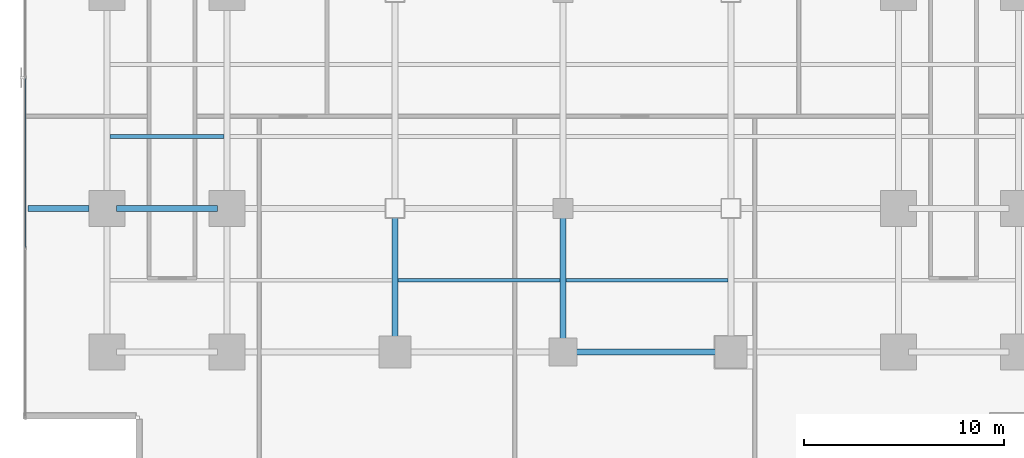
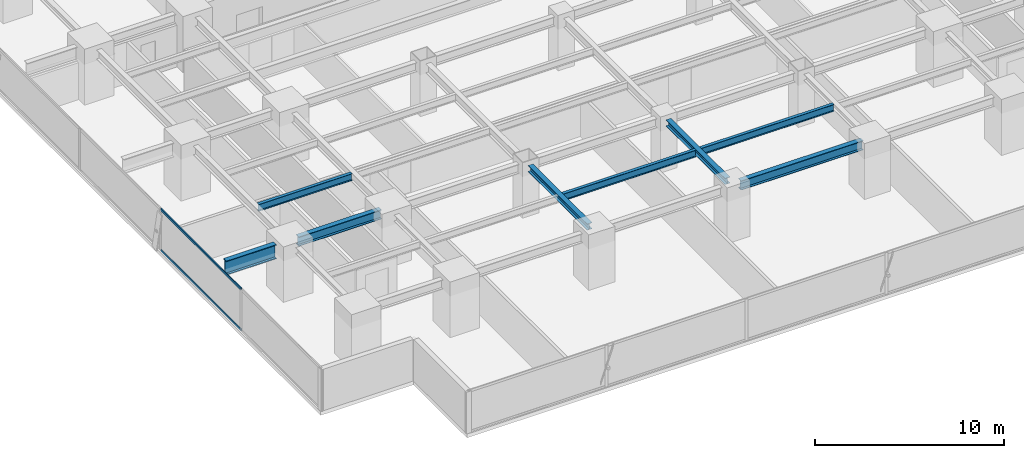
# One storey, part 6 of 33: 8 beams, 2 members, 1 element without a shape of its own.
"""IFC4 building model written with IfcOpenShell, lengths in metres."""

from ifc_helpers import new_model, si_unit, direction, frame, origin, origin_2d, place, context, subcontext, project, spatial, hollow_rectangle, i_section, extrude, source, transform, mapped, material, layer, layer_set, material_profile, profile_set, type_object, element, aggregate, save


model = new_model("IFC4")

# Units and contexts
model_context = context("Model", 3, precision=1e-05, world=origin(), true_north=direction((0.0, 1.0)))
body_context = subcontext(model_context, "Body", "Model", "MODEL_VIEW")
ifc_project = project(units=[si_unit("LENGTHUNIT", "METRE"), si_unit("AREAUNIT", "SQUARE_METRE"), si_unit("VOLUMEUNIT", "CUBIC_METRE"), si_unit("PLANEANGLEUNIT", "RADIAN"), si_unit("MASSUNIT", "GRAM", prefix="KILO")], contexts=[model_context])

# Site, building, storey
site_placement = place(None, origin())
site = spatial("IfcSite", under=ifc_project, at=site_placement, CompositionType="ELEMENT")
building_placement = place(site_placement, origin())
building = spatial("IfcBuilding", under=site, at=building_placement, Name="Sumidabori Civic Tower", CompositionType="ELEMENT")
storey_placement = place(building_placement, frame((0.0, 0.0, 66.800048828125)))
storey = spatial("IfcBuildingStorey", under=building, at=storey_placement, Name="L17", CompositionType="ELEMENT", Elevation=66.800048828125)

# Beams
ifc_material_1 = material(Name="Steel SN490", Category="steel")
ifc_material_profile_1 = material_profile(ifc_material_1, i_section(OverallWidth=0.300048828125, OverallDepth=0.60009765625, WebThickness=0.015380859375, FlangeThickness=0.030029296875, at=origin_2d()), Name="HE 600 B")
ifc_profile_set_1 = profile_set([ifc_material_profile_1], Name="Steel SN490")
beam_type_1 = type_object("IfcBeamType", Name="BM-GIRD-600", PredefinedType="BEAM", material=ifc_profile_set_1)
shared_shape_1 = source(origin(), body_context, "Body", "SweptSolid", [
    extrude(i_section(OverallWidth=0.300048828125, OverallDepth=0.60009765625, WebThickness=0.015380859375, FlangeThickness=0.030029296875, at=origin_2d()), origin(), (0.0, 0.0, 1.0), 5.0400390625),
])
beam_1_placement = place(storey_placement, frame((-22.320068359375, -10.800048828125, 3.0), z_axis=(1.0, 0.0, 0.0), x_axis=(0.0, 1.0, 0.0)))
element("IfcBeam", 1, at=beam_1_placement, inside=storey, type_object=beam_type_1, Name="Primary Girder L17 GX-07", PredefinedType="BEAM", context=body_context, shape_type="MappedRepresentation", body=[
    mapped(shared_shape_1, transform((0.0, 0.0, 0.0), x_axis=(1.0, 0.0, 0.0), y_axis=(0.0, 1.0, 0.0), z_axis=(0.0, 0.0, 1.0), scale=1.0)),
])
shared_shape_2 = source(origin(), body_context, "Body", "SweptSolid", [
    extrude(i_section(OverallWidth=0.300048828125, OverallDepth=0.60009765625, WebThickness=0.015380859375, FlangeThickness=0.030029296875, at=origin_2d()), origin(), (0.0, 0.0, 1.0), 7.43994140625),
])
beam_2_placement = place(storey_placement, frame((0.47998046875, -18.0, 3.0), z_axis=(1.0, 0.0, 0.0), x_axis=(0.0, 1.0, 0.0)))
element("IfcBeam", 2, at=beam_2_placement, inside=storey, type_object=beam_type_1, Name="Primary Girder L17 GX-04", PredefinedType="BEAM", context=body_context, shape_type="MappedRepresentation", body=[
    mapped(shared_shape_2, transform((0.0, 0.0, 0.0), x_axis=(1.0, 0.0, 0.0), y_axis=(0.0, 1.0, 0.0), z_axis=(0.0, 0.0, 1.0), scale=1.0)),
])
ifc_material_profile_2 = material_profile(ifc_material_1, i_section(OverallWidth=0.300048828125, OverallDepth=0.39990234375, WebThickness=0.013427734375, FlangeThickness=0.02392578125, at=origin_2d()), Name="HE 400 B")
ifc_profile_set_2 = profile_set([ifc_material_profile_2], Name="Steel SN490")
beam_type_2 = type_object("IfcBeamType", Name="BM-GIRD-400", PredefinedType="BEAM", material=ifc_profile_set_2)
shared_shape_3 = source(origin(), body_context, "Body", "SweptSolid", [
    extrude(i_section(OverallWidth=0.300048828125, OverallDepth=0.39990234375, WebThickness=0.013427734375, FlangeThickness=0.02392578125, at=origin_2d()), origin(), (0.0, 0.0, 1.0), 6.239990234375),
])
for number, where, z_axis, x_axis, name in (
    (3, (-8.39990234375, -17.52001953125, 3.099853515625), (0.0, 1.0, 0.0), (-1.0, 0.0, 0.0), "Primary Girder L17 GY-29"),
    (4, (0.0, -17.52001953125, 3.099853515625), (0.0, 1.0, 0.0), (-1.0, 0.0, 0.0), "Primary Girder L17 GY-31"),
):
    element("IfcBeam", number, at=place(storey_placement, frame(where, z_axis=z_axis, x_axis=x_axis)), inside=storey, type_object=beam_type_2, Name=name, PredefinedType="BEAM", context=body_context, shape_type="MappedRepresentation", body=[
        mapped(shared_shape_3, transform((0.0, 0.0, 0.0), x_axis=(1.0, 0.0, 0.0), y_axis=(0.0, 1.0, 0.0), z_axis=(0.0, 0.0, 1.0), scale=1.0)),
    ])
ifc_material_profile_3 = material_profile(ifc_material_1, i_section(OverallWidth=0.302001953125, OverallDepth=0.909912109375, WebThickness=0.02099609375, FlangeThickness=0.0400390625, at=origin_2d()), Name="HE 900 M")
ifc_profile_set_3 = profile_set([ifc_material_profile_3], Name="Steel SN490")
beam_type_3 = type_object("IfcBeamType", Name="BM-Z1-EDGE", PredefinedType="SPANDREL", material=ifc_profile_set_3)
shared_shape_4 = source(origin(), body_context, "Body", "SweptSolid", [
    extrude(i_section(OverallWidth=0.302001953125, OverallDepth=0.909912109375, WebThickness=0.02099609375, FlangeThickness=0.0400390625, at=origin_2d()), origin(), (0.0, 0.0, 1.0), 3.050048828125),
])
beam_3_placement = place(storey_placement, frame((-26.75, -10.800048828125, 2.844970703125), z_axis=(1.0, 0.0, 0.0), x_axis=(0.0, 1.0, 0.0)))
element("IfcBeam", 5, at=beam_3_placement, inside=storey, type_object=beam_type_3, Name="Perimeter Overhang Beam L17 W-44", PredefinedType="SPANDREL", context=body_context, shape_type="MappedRepresentation", body=[
    mapped(shared_shape_4, transform((0.0, 0.0, 0.0), x_axis=(1.0, 0.0, 0.0), y_axis=(0.0, 1.0, 0.0), z_axis=(0.0, 0.0, 1.0), scale=1.0)),
])
ifc_material_profile_4 = material_profile(ifc_material_1, i_section(OverallWidth=0.18994140625, OverallDepth=0.449951171875, WebThickness=0.009521484375, FlangeThickness=0.0146484375, at=origin_2d()), Name="IPE 450")
ifc_profile_set_4 = profile_set([ifc_material_profile_4], Name="Steel SN490")
beam_type_4 = type_object("IfcBeamType", Name="BM-JST-450", PredefinedType="JOIST", material=ifc_profile_set_4)
shared_shape_5 = source(origin(), body_context, "Body", "SweptSolid", [
    extrude(i_section(OverallWidth=0.18994140625, OverallDepth=0.449951171875, WebThickness=0.009521484375, FlangeThickness=0.0146484375, at=origin_2d()), origin(), (0.0, 0.0, 1.0), 5.699951171875),
])
beam_4_placement = place(storey_placement, frame((-22.64990234375, -7.199951171875, 3.074951171875), z_axis=(1.0, 0.0, 0.0), x_axis=(0.0, 1.0, 0.0)))
element("IfcBeam", 6, at=beam_4_placement, inside=storey, type_object=beam_type_4, Name="Outer Bay Floor Joist L17 JSTO-49", PredefinedType="JOIST", context=body_context, shape_type="MappedRepresentation", body=[
    mapped(shared_shape_5, transform((0.0, 0.0, 0.0), x_axis=(1.0, 0.0, 0.0), y_axis=(0.0, 1.0, 0.0), z_axis=(0.0, 0.0, 1.0), scale=1.0)),
])
shared_shape_6 = source(origin(), body_context, "Body", "SweptSolid", [
    extrude(i_section(OverallWidth=0.18994140625, OverallDepth=0.449951171875, WebThickness=0.009521484375, FlangeThickness=0.0146484375, at=origin_2d()), origin(), (0.0, 0.0, 1.0), 8.10009765625),
])
for number, where, z_axis, x_axis, name in (
    (7, (-8.25, -14.39990234375, 3.074951171875), (1.0, 0.0, 0.0), (0.0, 1.0, 0.0), "South Bay Floor Joist L17 JSTS-62"),
    (8, (0.14990234375, -14.39990234375, 3.074951171875), (1.0, 0.0, 0.0), (0.0, 1.0, 0.0), "South Bay Floor Joist L17 JSTS-63"),
):
    element("IfcBeam", number, at=place(storey_placement, frame(where, z_axis=z_axis, x_axis=x_axis)), inside=storey, type_object=beam_type_4, Name=name, PredefinedType="JOIST", context=body_context, shape_type="MappedRepresentation", body=[
        mapped(shared_shape_6, transform((0.0, 0.0, 0.0), x_axis=(1.0, 0.0, 0.0), y_axis=(0.0, 1.0, 0.0), z_axis=(0.0, 0.0, 1.0), scale=1.0)),
    ])

# Curtain wall, members
ifc_material_2 = material(Name="Anodised Bronze Aluminium AW-6063-T6", Category="aluminium")
ifc_layer = layer(ifc_material_2, 0.179931640625, Name="Anodised Bronze Aluminium AW-6063-T6")
ifc_layer_set = layer_set([ifc_layer], Name="Anodised Bronze Aluminium AW-6063-T6")
curtain_wall_type = type_object("IfcCurtainWallType", Name="CW-SYS-2", PredefinedType="NOTDEFINED", material=ifc_layer_set)
curtain_wall_placement = place(storey_placement, origin())
curtain_wall = element("IfcCurtainWall", 9, at=curtain_wall_placement, inside=storey, type_object=curtain_wall_type, Name="Curtain Wall CW:L17:R10", PredefinedType="NOTDEFINED")
ifc_material_profile_5 = material_profile(ifc_material_2, hollow_rectangle(XDim=0.06494140625, YDim=0.14990234375, WallThickness=0.0048828125, at=origin_2d()), Name="ALU TRANSOM 150x65")
ifc_profile_set_5 = profile_set([ifc_material_profile_5], Name="Anodised Bronze Aluminium AW-6063-T6")
member_type = type_object("IfcMemberType", Name="CW-TRN-150", PredefinedType="USERDEFINED", material=ifc_profile_set_5)
shared_shape_7 = source(origin(), body_context, "Body", "SweptSolid", [
    extrude(hollow_rectangle(XDim=0.06494140625, YDim=0.14990234375, WallThickness=0.0048828125, at=origin_2d()), origin(), (0.0, 0.0, 1.0), 8.4580078125),
])
member_1_placement = place(storey_placement, frame((-26.8798828125, -4.299072265625, 0.032470703125), z_axis=(0.0, -1.0, 0.0), x_axis=(1.0, 0.0, 0.0)))
member_1 = element("IfcMember", 10, at=member_1_placement, type_object=member_type, Name="CW-2 transom 4.1", ObjectType="TRANSOM", PredefinedType="USERDEFINED", context=body_context, shape_type="MappedRepresentation", body=[
    mapped(shared_shape_7, transform((0.0, 0.0, 0.0), x_axis=(1.0, 0.0, 0.0), y_axis=(0.0, 1.0, 0.0), z_axis=(0.0, 0.0, 1.0), scale=1.0)),
])
member_2_placement = place(storey_placement, frame((-26.8798828125, -4.299072265625, 2.6474609375), z_axis=(0.0, -1.0, 0.0), x_axis=(1.0, 0.0, 0.0)))
member_2 = element("IfcMember", 11, at=member_2_placement, type_object=member_type, Name="CW-2 transom 4.2", ObjectType="TRANSOM", PredefinedType="USERDEFINED", context=body_context, shape_type="MappedRepresentation", body=[
    mapped(shared_shape_7, transform((0.0, 0.0, 0.0), x_axis=(1.0, 0.0, 0.0), y_axis=(0.0, 1.0, 0.0), z_axis=(0.0, 0.0, 1.0), scale=1.0)),
])
aggregate(curtain_wall, [member_1, member_2])

save(model, "model.ifc")
